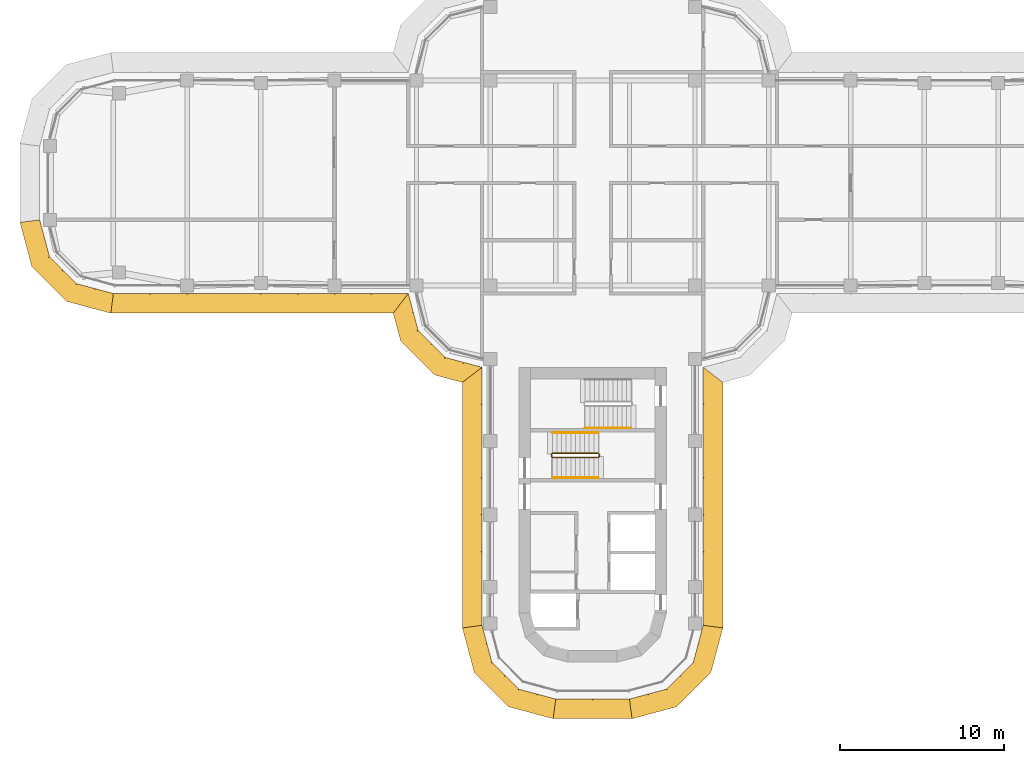
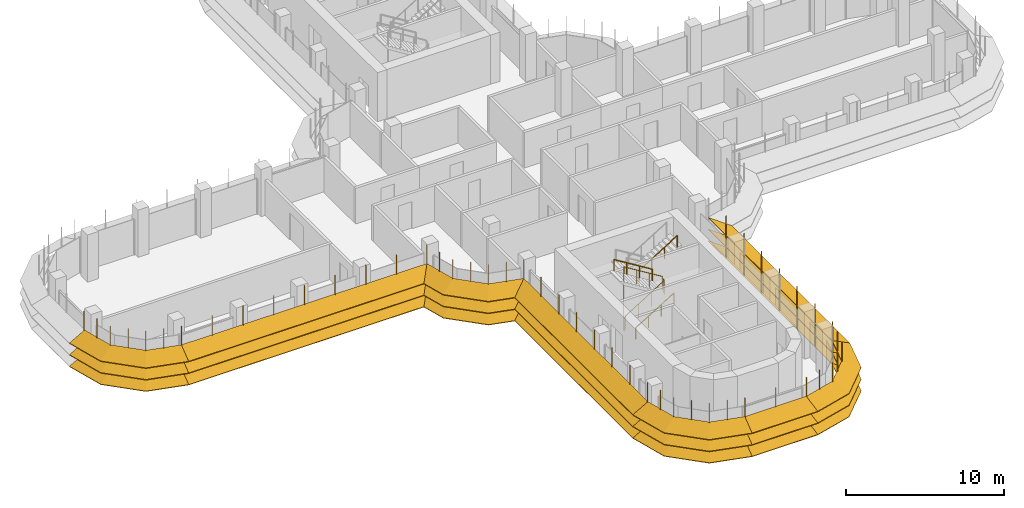
# One storey, part 16 of 19: 8 shading devices, 4 railings.
"""IFC4 building model written with IfcOpenShell, lengths in metres."""

from ifc_helpers import new_model, si_unit, direction, frame, origin, origin_2d, place, context, subcontext, project, spatial, polyline, circle, outline, extrude, faceted_brep, source, transform, mapped, material, type_object, element, save


model = new_model("IFC4")

# Units and contexts
model_context = context("Model", 3, precision=1e-05, world=origin(), true_north=direction((0.0, 1.0)))
body_context = subcontext(model_context, "Body", "Model", "MODEL_VIEW")
ifc_project = project(units=[si_unit("LENGTHUNIT", "METRE"), si_unit("AREAUNIT", "SQUARE_METRE"), si_unit("VOLUMEUNIT", "CUBIC_METRE"), si_unit("PLANEANGLEUNIT", "RADIAN"), si_unit("MASSUNIT", "GRAM", prefix="KILO")], contexts=[model_context])

# Site, building, storey
site_placement = place(None, origin())
site = spatial("IfcSite", under=ifc_project, at=site_placement, CompositionType="ELEMENT")
building_placement = place(site_placement, origin())
building = spatial("IfcBuilding", under=site, at=building_placement, Name="Zarbagh Exchange Tower", CompositionType="ELEMENT")
storey_placement = place(building_placement, frame((0.0, 0.0, 179.0)))
storey = spatial("IfcBuildingStorey", under=building, at=storey_placement, Name="L43", CompositionType="ELEMENT", Elevation=179.0)

# Railings
ifc_material_1 = material(Name="Stainless steel", Category="steel")
railing_type_1 = type_object("IfcRailingType", Name="Stair guard 1100 mm", PredefinedType="GUARDRAIL", material=ifc_material_1)
railing_1_placement = place(storey_placement, frame((0.35009765625, -16.5, 2.07275390625)))
element("IfcRailing", 1, at=railing_1_placement, inside=storey, type_object=railing_type_1, Name="ST3 stair guard 1", PredefinedType="GUARDRAIL", context=body_context, shape_type="SweptSolid", body=[
    extrude(circle(Radius=0.02392578125, at=origin_2d()), frame((0.0, 0.0, 1.076171875), z_axis=(-0.851089632645, 0.0, 0.525020415988), x_axis=(0.0, -1.0, 0.0)), (0.0, 0.0, 1.0), 3.2900390625),
    extrude(circle(Radius=0.02392578125, at=origin_2d()), frame((-2.800048828125, 0.0, 2.80322265625), z_axis=(-0.013168290981, -0.013168290981, -0.999826581076), x_axis=(0.707106781187, -0.707106781187, 0.0)), (0.0, 0.0, 1.0), 3.80078125),
    extrude(circle(Radius=0.02392578125, at=origin_2d()), frame((-2.85009765625, -0.050048828125, -0.99658203125), z_axis=(0.0, -1.0, 0.0), x_axis=(1.0, 0.0, 0.0)), (0.0, 0.0, 1.0), 0.14990234375),
    extrude(circle(Radius=0.02392578125, at=origin_2d()), frame((-2.85009765625, -0.199951171875, -0.99658203125), z_axis=(0.268277960024, -0.268277960024, 0.925231793839), x_axis=(0.707106781187, 0.707106781187, 0.0)), (0.0, 0.0, 1.0), 0.1865234375),
    extrude(circle(Radius=0.02392578125, at=origin_2d()), frame((-2.800048828125, -0.25, -0.82421875), z_axis=(0.851089632645, 0.0, 0.525020415988), x_axis=(0.0, 1.0, 0.0)), (0.0, 0.0, 1.0), 3.2900390625),
    extrude(circle(Radius=0.02392578125, at=origin_2d()), frame((0.0, -0.25, 0.9033203125), z_axis=(0.705375805398, 0.708833529934, 0.0), x_axis=(-0.708833529934, 0.705375805398, 0.0)), (0.0, 0.0, 1.0), 0.070556640625),
    extrude(circle(Radius=0.02392578125, at=origin_2d()), frame((0.0498046875, -0.199951171875, 0.9033203125), z_axis=(0.0, 1.0, 0.0), x_axis=(-1.0, 0.0, 0.0)), (0.0, 0.0, 1.0), 0.14990234375),
    extrude(circle(Radius=0.02099609375, at=origin_2d()), origin(), (0.0, 0.0, 1.0), 1.052001953125),
    extrude(circle(Radius=0.02099609375, at=origin_2d()), frame((-0.933349609375, 0.0, 0.57568359375)), (0.0, 0.0, 1.0), 1.052001953125),
    extrude(circle(Radius=0.02099609375, at=origin_2d()), frame((-1.86669921875, 0.0, 1.151611328125)), (0.0, 0.0, 1.0), 1.052001953125),
    extrude(circle(Radius=0.02099609375, at=origin_2d()), frame((-2.800048828125, 0.0, 1.727294921875)), (0.0, 0.0, 1.0), 1.052001953125),
    extrude(circle(Radius=0.02099609375, at=origin_2d()), frame((-2.8125, -0.012451171875, 0.77734375)), (0.0, 0.0, 1.0), 1.052001953125),
    extrude(circle(Radius=0.02099609375, at=origin_2d()), frame((-2.8251953125, -0.02490234375, -0.1728515625)), (0.0, 0.0, 1.0), 1.052001953125),
    extrude(circle(Radius=0.02099609375, at=origin_2d()), frame((-2.837646484375, -0.03759765625, -1.122802734375)), (0.0, 0.0, 1.0), 1.052001953125),
    extrude(circle(Radius=0.02099609375, at=origin_2d()), frame((-2.85009765625, -0.050048828125, -2.07275390625)), (0.0, 0.0, 1.0), 1.052001953125),
    extrude(circle(Radius=0.02099609375, at=origin_2d()), frame((-2.85009765625, -0.199951171875, -2.07275390625)), (0.0, 0.0, 1.0), 1.052001953125),
    extrude(circle(Radius=0.02099609375, at=origin_2d()), frame((-2.800048828125, -0.25, -1.900146484375)), (0.0, 0.0, 1.0), 1.052001953125),
    extrude(circle(Radius=0.02099609375, at=origin_2d()), frame((-1.86669921875, -0.25, -1.324462890625)), (0.0, 0.0, 1.0), 1.052001953125),
    extrude(circle(Radius=0.02099609375, at=origin_2d()), frame((-0.933349609375, -0.25, -0.74853515625)), (0.0, 0.0, 1.0), 1.052001953125),
    extrude(circle(Radius=0.02099609375, at=origin_2d()), frame((0.0, -0.25, -0.1728515625)), (0.0, 0.0, 1.0), 1.052001953125),
    extrude(circle(Radius=0.02099609375, at=origin_2d()), frame((0.0498046875, -0.199951171875, -0.1728515625)), (0.0, 0.0, 1.0), 1.052001953125),
    extrude(circle(Radius=0.02099609375, at=origin_2d()), frame((0.0498046875, -0.050048828125, -0.1728515625)), (0.0, 0.0, 1.0), 1.052001953125),
])
railing_type_2 = type_object("IfcRailingType", Name="Stair handrail 900 mm", PredefinedType="HANDRAIL", material=ifc_material_1)
railing_2_placement = place(storey_placement, frame((-2.449951171875, -18.0, 0.172607421875)))
element("IfcRailing", 2, at=railing_2_placement, inside=storey, type_object=railing_type_2, Name="ST3 stair handrail 1", PredefinedType="HANDRAIL", context=body_context, shape_type="SweptSolid", body=[
    extrude(circle(Radius=0.02392578125, at=origin_2d()), frame((0.0, 0.0, 0.8759765625), z_axis=(0.851089632645, 0.0, 0.525020415988), x_axis=(0.0, 1.0, 0.0)), (0.0, 0.0, 1.0), 3.2900390625),
    extrude(circle(Radius=0.02099609375, at=origin_2d()), origin(), (0.0, 0.0, 1.0), 0.851806640625),
    extrude(circle(Radius=0.02099609375, at=origin_2d()), frame((0.933349609375, 0.0, 0.57568359375)), (0.0, 0.0, 1.0), 0.851806640625),
    extrude(circle(Radius=0.02099609375, at=origin_2d()), frame((1.86669921875, 0.0, 1.151611328125)), (0.0, 0.0, 1.0), 0.851806640625),
    extrude(circle(Radius=0.02099609375, at=origin_2d()), frame((2.800048828125, 0.0, 1.727294921875)), (0.0, 0.0, 1.0), 0.851806640625),
])
railing_3_placement = place(storey_placement, frame((0.35009765625, -15.25, 2.07275390625)))
element("IfcRailing", 3, at=railing_3_placement, inside=storey, type_object=railing_type_2, Name="ST3 stair handrail 2", PredefinedType="HANDRAIL", context=body_context, shape_type="SweptSolid", body=[
    extrude(circle(Radius=0.02392578125, at=origin_2d()), frame((0.0, 0.0, 0.8759765625), z_axis=(-0.851089632645, 0.0, 0.525020415988), x_axis=(0.0, -1.0, 0.0)), (0.0, 0.0, 1.0), 3.2900390625),
    extrude(circle(Radius=0.02099609375, at=origin_2d()), origin(), (0.0, 0.0, 1.0), 0.851806640625),
    extrude(circle(Radius=0.02099609375, at=origin_2d()), frame((-0.933349609375, 0.0, 0.57568359375)), (0.0, 0.0, 1.0), 0.851806640625),
    extrude(circle(Radius=0.02099609375, at=origin_2d()), frame((-1.86669921875, 0.0, 1.151611328125)), (0.0, 0.0, 1.0), 0.851806640625),
    extrude(circle(Radius=0.02099609375, at=origin_2d()), frame((-2.800048828125, 0.0, 1.727294921875)), (0.0, 0.0, 1.0), 0.851806640625),
])
railing_4_placement = place(storey_placement, frame((-0.449951171875, -14.949951171875, 2.07275390625)))
element("IfcRailing", 4, at=railing_4_placement, inside=storey, type_object=railing_type_2, Name="ST4 stair handrail 2", PredefinedType="HANDRAIL", context=body_context, shape_type="SweptSolid", body=[
    extrude(circle(Radius=0.02392578125, at=origin_2d()), frame((0.0, 0.0, 0.8759765625), z_axis=(0.851089632645, 0.0, 0.525020415988), x_axis=(0.0, 1.0, 0.0)), (0.0, 0.0, 1.0), 3.2900390625),
    extrude(circle(Radius=0.02099609375, at=origin_2d()), origin(), (0.0, 0.0, 1.0), 0.851806640625),
    extrude(circle(Radius=0.02099609375, at=origin_2d()), frame((0.933349609375, 0.0, 0.57568359375)), (0.0, 0.0, 1.0), 0.851806640625),
    extrude(circle(Radius=0.02099609375, at=origin_2d()), frame((1.86669921875, 0.0, 1.151611328125)), (0.0, 0.0, 1.0), 0.851806640625),
    extrude(circle(Radius=0.02099609375, at=origin_2d()), frame((2.800048828125, 0.0, 1.727294921875)), (0.0, 0.0, 1.0), 0.851806640625),
])

# Shading devices
ifc_material_2 = material(Name="Anodised aluminium blades and brackets", Category="aluminium")
shading_device_type = type_object("IfcShadingDeviceType", Name="SUNSHADE louvre band, 22.5 degree blades", PredefinedType="JALOUSIE", material=ifc_material_2)
shared_shape_1 = source(origin(), body_context, "Body", "Brep", [
    faceted_brep([(0.0, 0.0, 0.0), (0.0, 0.0, -0.043212890625), (-0.157958984375, -1.199951171875, -0.540283203125), (-0.157958984375, -1.199951171875, -0.4970703125), (2.65087890625, -1.199951171875, -0.4970703125), (2.65087890625, -1.199951171875, -0.540283203125), (2.329345703125, 0.0, -0.043212890625), (2.329345703125, 0.0, 0.0)], [[[0, 1, 2, 3]], [[4, 5, 6, 7]], [[0, 7, 6, 1]], [[1, 6, 5, 2]], [[2, 5, 4, 3]], [[3, 4, 7, 0]]]),
])
shared_shape_2 = source(origin(), body_context, "Body", "Brep", [
    faceted_brep([(0.0, 0.0, 0.0), (0.0, 0.0, -0.043212890625), (-0.321533203125, -1.199951171875, -0.540283203125), (-0.321533203125, -1.199951171875, -0.4970703125), (2.65087890625, -1.199951171875, -0.4970703125), (2.65087890625, -1.199951171875, -0.540283203125), (2.329345703125, 0.0, -0.043212890625), (2.329345703125, 0.0, 0.0)], [[[0, 1, 2, 3]], [[4, 5, 6, 7]], [[0, 7, 6, 1]], [[1, 6, 5, 2]], [[2, 5, 4, 3]], [[3, 4, 7, 0]]]),
])
shared_shape_3 = source(origin(), body_context, "Body", "Brep", [
    faceted_brep([(0.0, 0.0, 0.0), (0.0, 0.0, -0.043212890625), (-0.321533203125, -1.199951171875, -0.540283203125), (-0.321533203125, -1.199951171875, -0.4970703125), (2.4873046875, -1.199951171875, -0.4970703125), (2.4873046875, -1.199951171875, -0.540283203125), (2.329345703125, 0.0, -0.043212890625), (2.329345703125, 0.0, 0.0)], [[[0, 1, 2, 3]], [[4, 5, 6, 7]], [[0, 7, 6, 1]], [[1, 6, 5, 2]], [[2, 5, 4, 3]], [[3, 4, 7, 0]]]),
])
shared_shape_4 = source(origin(), body_context, "Body", "SweptSolid", [
    extrude(outline(polyline([(0.0, -0.012451171875), (0.06005859375, -0.012451171875), (0.06005859375, 0.012451171875), (0.0, 0.012451171875), (0.0, -0.012451171875)])), origin(), (0.0, 0.0, 1.0), 3.353271484375),
])
placement = place(storey_placement, origin())
element("IfcShadingDevice", 5, at=placement, inside=storey, type_object=shading_device_type, Name="SS35 sunshade band", PredefinedType="JALOUSIE", context=body_context, shape_type="MappedRepresentation", body=[
    mapped(shared_shape_1, transform((2.25, -31.5, 2.300048828125), x_axis=(0.965924289636, 0.258824779902, 0.0), y_axis=(-0.258824779902, 0.965924289636, 0.0), z_axis=(0.0, 0.0, 1.0))),
    mapped(shared_shape_1, transform((2.25, -31.5, 1.39990234375), x_axis=(0.965924289636, 0.258824779902, 0.0), y_axis=(-0.258824779902, 0.965924289636, 0.0), z_axis=(0.0, 0.0, 1.0))),
    mapped(shared_shape_1, transform((2.25, -31.5, 0.5), x_axis=(0.965924289636, 0.258824779902, 0.0), y_axis=(-0.258824779902, 0.965924289636, 0.0), z_axis=(0.0, 0.0, 1.0))),
    mapped(shared_shape_2, transform((4.5, -30.897216796875, 2.300048828125), x_axis=(0.707106781187, 0.707106781187, 0.0), y_axis=(-0.707106781187, 0.707106781187, 0.0), z_axis=(0.0, 0.0, 1.0))),
    mapped(shared_shape_2, transform((4.5, -30.897216796875, 1.39990234375), x_axis=(0.707106781187, 0.707106781187, 0.0), y_axis=(-0.707106781187, 0.707106781187, 0.0), z_axis=(0.0, 0.0, 1.0))),
    mapped(shared_shape_2, transform((4.5, -30.897216796875, 0.5), x_axis=(0.707106781187, 0.707106781187, 0.0), y_axis=(-0.707106781187, 0.707106781187, 0.0), z_axis=(0.0, 0.0, 1.0))),
    mapped(shared_shape_3, transform((6.147216796875, -29.25, 2.300048828125), x_axis=(0.258824779902, 0.965924289636, 0.0), y_axis=(-0.965924289636, 0.258824779902, 0.0), z_axis=(0.0, 0.0, 1.0))),
    mapped(shared_shape_3, transform((6.147216796875, -29.25, 1.39990234375), x_axis=(0.258824779902, 0.965924289636, 0.0), y_axis=(-0.965924289636, 0.258824779902, 0.0), z_axis=(0.0, 0.0, 1.0))),
    mapped(shared_shape_3, transform((6.147216796875, -29.25, 0.5), x_axis=(0.258824779902, 0.965924289636, 0.0), y_axis=(-0.965924289636, 0.258824779902, 0.0), z_axis=(0.0, 0.0, 1.0))),
    mapped(shared_shape_4, transform((2.25, -31.5, 0.4267578125), x_axis=(0.130529263012, -0.991444457092, 0.0), y_axis=(0.991444457092, 0.130529263012, 0.0), z_axis=(0.0, 0.0, 1.0))),
    mapped(shared_shape_4, transform((3.375, -31.198486328125, 0.4267578125), x_axis=(0.258825058029, -0.96592421511, 0.0), y_axis=(0.96592421511, 0.258825058029, 0.0), z_axis=(0.0, 0.0, 1.0))),
    mapped(shared_shape_4, transform((4.5, -30.897216796875, 0.4267578125), x_axis=(0.50000275701, -0.866023812018, 0.0), y_axis=(0.866023812018, 0.50000275701, 0.0), z_axis=(0.0, 0.0, 1.0))),
    mapped(shared_shape_4, transform((5.323486328125, -30.073486328125, 0.4267578125), x_axis=(0.707106781187, -0.707106781187, 0.0), y_axis=(0.707106781187, 0.707106781187, 0.0), z_axis=(0.0, 0.0, 1.0))),
    mapped(shared_shape_4, transform((6.147216796875, -29.25, 0.4267578125), x_axis=(0.866023812018, -0.50000275701, 0.0), y_axis=(0.50000275701, 0.866023812018, 0.0), z_axis=(0.0, 0.0, 1.0))),
    mapped(shared_shape_4, transform((6.448486328125, -28.125, 0.4267578125), x_axis=(0.96592421511, -0.258825058029, 0.0), y_axis=(0.258825058029, 0.96592421511, 0.0), z_axis=(0.0, 0.0, 1.0))),
])
element("IfcShadingDevice", 6, at=placement, inside=storey, type_object=shading_device_type, Name="SS19 sunshade band", PredefinedType="JALOUSIE", context=body_context, shape_type="MappedRepresentation", body=[
    mapped(shared_shape_1, transform((-33.75, -2.25, 2.300048828125), x_axis=(0.258824779902, -0.965924289636, 0.0), y_axis=(0.965924289636, 0.258824779902, 0.0), z_axis=(0.0, 0.0, 1.0))),
    mapped(shared_shape_1, transform((-33.75, -2.25, 1.39990234375), x_axis=(0.258824779902, -0.965924289636, 0.0), y_axis=(0.965924289636, 0.258824779902, 0.0), z_axis=(0.0, 0.0, 1.0))),
    mapped(shared_shape_1, transform((-33.75, -2.25, 0.5), x_axis=(0.258824779902, -0.965924289636, 0.0), y_axis=(0.965924289636, 0.258824779902, 0.0), z_axis=(0.0, 0.0, 1.0))),
    mapped(shared_shape_2, transform((-33.147216796875, -4.5, 2.300048828125), x_axis=(0.707106781187, -0.707106781187, 0.0), y_axis=(0.707106781187, 0.707106781187, 0.0), z_axis=(0.0, 0.0, 1.0))),
    mapped(shared_shape_2, transform((-33.147216796875, -4.5, 1.39990234375), x_axis=(0.707106781187, -0.707106781187, 0.0), y_axis=(0.707106781187, 0.707106781187, 0.0), z_axis=(0.0, 0.0, 1.0))),
    mapped(shared_shape_2, transform((-33.147216796875, -4.5, 0.5), x_axis=(0.707106781187, -0.707106781187, 0.0), y_axis=(0.707106781187, 0.707106781187, 0.0), z_axis=(0.0, 0.0, 1.0))),
    mapped(shared_shape_3, transform((-31.5, -6.147216796875, 2.300048828125), x_axis=(0.965924289636, -0.258824779902, 0.0), y_axis=(0.258824779902, 0.965924289636, 0.0), z_axis=(0.0, 0.0, 1.0))),
    mapped(shared_shape_3, transform((-31.5, -6.147216796875, 1.39990234375), x_axis=(0.965924289636, -0.258824779902, 0.0), y_axis=(0.258824779902, 0.965924289636, 0.0), z_axis=(0.0, 0.0, 1.0))),
    mapped(shared_shape_3, transform((-31.5, -6.147216796875, 0.5), x_axis=(0.965924289636, -0.258824779902, 0.0), y_axis=(0.258824779902, 0.965924289636, 0.0), z_axis=(0.0, 0.0, 1.0))),
    mapped(shared_shape_4, transform((-33.75, -2.25, 0.4267578125), x_axis=(-0.991444457092, -0.130529263012, 0.0), y_axis=(0.130529263012, -0.991444457092, 0.0), z_axis=(0.0, 0.0, 1.0))),
    mapped(shared_shape_4, transform((-33.448486328125, -3.375, 0.4267578125), x_axis=(-0.96592421511, -0.258825058029, 0.0), y_axis=(0.258825058029, -0.96592421511, 0.0), z_axis=(0.0, 0.0, 1.0))),
    mapped(shared_shape_4, transform((-33.147216796875, -4.5, 0.4267578125), x_axis=(-0.866023812018, -0.50000275701, 0.0), y_axis=(0.50000275701, -0.866023812018, 0.0), z_axis=(0.0, 0.0, 1.0))),
    mapped(shared_shape_4, transform((-32.323486328125, -5.323486328125, 0.4267578125), x_axis=(-0.707106781187, -0.707106781187, 0.0), y_axis=(0.707106781187, -0.707106781187, 0.0), z_axis=(0.0, 0.0, 1.0))),
    mapped(shared_shape_4, transform((-31.5, -6.147216796875, 0.4267578125), x_axis=(-0.50000275701, -0.866023812018, 0.0), y_axis=(0.866023812018, -0.50000275701, 0.0), z_axis=(0.0, 0.0, 1.0))),
    mapped(shared_shape_4, transform((-30.375, -6.448486328125, 0.4267578125), x_axis=(-0.258825058029, -0.96592421511, 0.0), y_axis=(0.96592421511, -0.258825058029, 0.0), z_axis=(0.0, 0.0, 1.0))),
])
element("IfcShadingDevice", 7, at=placement, inside=storey, type_object=shading_device_type, Name="SS38 sunshade band", PredefinedType="JALOUSIE", context=body_context, shape_type="MappedRepresentation", body=[
    mapped(shared_shape_1, transform((-6.75, -27.0, 2.300048828125), x_axis=(0.258824779902, -0.965924289636, 0.0), y_axis=(0.965924289636, 0.258824779902, 0.0), z_axis=(0.0, 0.0, 1.0))),
    mapped(shared_shape_1, transform((-6.75, -27.0, 1.39990234375), x_axis=(0.258824779902, -0.965924289636, 0.0), y_axis=(0.965924289636, 0.258824779902, 0.0), z_axis=(0.0, 0.0, 1.0))),
    mapped(shared_shape_1, transform((-6.75, -27.0, 0.5), x_axis=(0.258824779902, -0.965924289636, 0.0), y_axis=(0.965924289636, 0.258824779902, 0.0), z_axis=(0.0, 0.0, 1.0))),
    mapped(shared_shape_2, transform((-6.147216796875, -29.25, 2.300048828125), x_axis=(0.707106781187, -0.707106781187, 0.0), y_axis=(0.707106781187, 0.707106781187, 0.0), z_axis=(0.0, 0.0, 1.0))),
    mapped(shared_shape_2, transform((-6.147216796875, -29.25, 1.39990234375), x_axis=(0.707106781187, -0.707106781187, 0.0), y_axis=(0.707106781187, 0.707106781187, 0.0), z_axis=(0.0, 0.0, 1.0))),
    mapped(shared_shape_2, transform((-6.147216796875, -29.25, 0.5), x_axis=(0.707106781187, -0.707106781187, 0.0), y_axis=(0.707106781187, 0.707106781187, 0.0), z_axis=(0.0, 0.0, 1.0))),
    mapped(shared_shape_3, transform((-4.5, -30.897216796875, 2.300048828125), x_axis=(0.965924289636, -0.258824779902, 0.0), y_axis=(0.258824779902, 0.965924289636, 0.0), z_axis=(0.0, 0.0, 1.0))),
    mapped(shared_shape_3, transform((-4.5, -30.897216796875, 1.39990234375), x_axis=(0.965924289636, -0.258824779902, 0.0), y_axis=(0.258824779902, 0.965924289636, 0.0), z_axis=(0.0, 0.0, 1.0))),
    mapped(shared_shape_3, transform((-4.5, -30.897216796875, 0.5), x_axis=(0.965924289636, -0.258824779902, 0.0), y_axis=(0.258824779902, 0.965924289636, 0.0), z_axis=(0.0, 0.0, 1.0))),
    mapped(shared_shape_4, transform((-6.75, -27.0, 0.4267578125), x_axis=(-0.991444457092, -0.130529263012, 0.0), y_axis=(0.130529263012, -0.991444457092, 0.0), z_axis=(0.0, 0.0, 1.0))),
    mapped(shared_shape_4, transform((-6.448486328125, -28.125, 0.4267578125), x_axis=(-0.96592421511, -0.258825058029, 0.0), y_axis=(0.258825058029, -0.96592421511, 0.0), z_axis=(0.0, 0.0, 1.0))),
    mapped(shared_shape_4, transform((-6.147216796875, -29.25, 0.4267578125), x_axis=(-0.866023812018, -0.50000275701, 0.0), y_axis=(0.50000275701, -0.866023812018, 0.0), z_axis=(0.0, 0.0, 1.0))),
    mapped(shared_shape_4, transform((-5.323486328125, -30.073486328125, 0.4267578125), x_axis=(-0.707106781187, -0.707106781187, 0.0), y_axis=(0.707106781187, -0.707106781187, 0.0), z_axis=(0.0, 0.0, 1.0))),
    mapped(shared_shape_4, transform((-4.5, -30.897216796875, 0.4267578125), x_axis=(-0.50000275701, -0.866023812018, 0.0), y_axis=(0.866023812018, -0.50000275701, 0.0), z_axis=(0.0, 0.0, 1.0))),
    mapped(shared_shape_4, transform((-3.375, -31.198486328125, 0.4267578125), x_axis=(-0.258825058029, -0.96592421511, 0.0), y_axis=(0.96592421511, -0.258825058029, 0.0), z_axis=(0.0, 0.0, 1.0))),
])
shared_shape_5 = source(origin(), body_context, "Body", "Brep", [
    faceted_brep([(0.0, 0.0, 0.0), (0.0, 0.0, -0.043212890625), (0.9208984375, -1.199951171875, -0.540283203125), (0.9208984375, -1.199951171875, -0.4970703125), (2.65087890625, -1.199951171875, -0.4970703125), (2.65087890625, -1.199951171875, -0.540283203125), (2.329345703125, 0.0, -0.043212890625), (2.329345703125, 0.0, 0.0)], [[[0, 1, 2, 3]], [[4, 5, 6, 7]], [[0, 7, 6, 1]], [[1, 6, 5, 2]], [[2, 5, 4, 3]], [[3, 4, 7, 0]]]),
])
shared_shape_6 = source(origin(), body_context, "Body", "Brep", [
    faceted_brep([(0.0, 0.0, 0.0), (0.0, 0.0, -0.043212890625), (-0.321533203125, -1.199951171875, -0.540283203125), (-0.321533203125, -1.199951171875, -0.4970703125), (1.40869140625, -1.199951171875, -0.4970703125), (1.40869140625, -1.199951171875, -0.540283203125), (2.329345703125, 0.0, -0.043212890625), (2.329345703125, 0.0, 0.0)], [[[0, 1, 2, 3]], [[4, 5, 6, 7]], [[0, 7, 6, 1]], [[1, 6, 5, 2]], [[2, 5, 4, 3]], [[3, 4, 7, 0]]]),
])
element("IfcShadingDevice", 8, at=placement, inside=storey, type_object=shading_device_type, Name="SS21 sunshade band", PredefinedType="JALOUSIE", context=body_context, shape_type="MappedRepresentation", body=[
    mapped(shared_shape_5, transform((-11.25, -6.75, 2.300048828125), x_axis=(0.258824779902, -0.965924289636, 0.0), y_axis=(0.965924289636, 0.258824779902, 0.0), z_axis=(0.0, 0.0, 1.0))),
    mapped(shared_shape_5, transform((-11.25, -6.75, 1.39990234375), x_axis=(0.258824779902, -0.965924289636, 0.0), y_axis=(0.965924289636, 0.258824779902, 0.0), z_axis=(0.0, 0.0, 1.0))),
    mapped(shared_shape_5, transform((-11.25, -6.75, 0.5), x_axis=(0.258824779902, -0.965924289636, 0.0), y_axis=(0.965924289636, 0.258824779902, 0.0), z_axis=(0.0, 0.0, 1.0))),
    mapped(shared_shape_2, transform((-10.647216796875, -9.0, 2.300048828125), x_axis=(0.707106781187, -0.707106781187, 0.0), y_axis=(0.707106781187, 0.707106781187, 0.0), z_axis=(0.0, 0.0, 1.0))),
    mapped(shared_shape_2, transform((-10.647216796875, -9.0, 1.39990234375), x_axis=(0.707106781187, -0.707106781187, 0.0), y_axis=(0.707106781187, 0.707106781187, 0.0), z_axis=(0.0, 0.0, 1.0))),
    mapped(shared_shape_2, transform((-10.647216796875, -9.0, 0.5), x_axis=(0.707106781187, -0.707106781187, 0.0), y_axis=(0.707106781187, 0.707106781187, 0.0), z_axis=(0.0, 0.0, 1.0))),
    mapped(shared_shape_6, transform((-9.0, -10.647216796875, 2.300048828125), x_axis=(0.965924289636, -0.258824779902, 0.0), y_axis=(0.258824779902, 0.965924289636, 0.0), z_axis=(0.0, 0.0, 1.0))),
    mapped(shared_shape_6, transform((-9.0, -10.647216796875, 1.39990234375), x_axis=(0.965924289636, -0.258824779902, 0.0), y_axis=(0.258824779902, 0.965924289636, 0.0), z_axis=(0.0, 0.0, 1.0))),
    mapped(shared_shape_6, transform((-9.0, -10.647216796875, 0.5), x_axis=(0.965924289636, -0.258824779902, 0.0), y_axis=(0.258824779902, 0.965924289636, 0.0), z_axis=(0.0, 0.0, 1.0))),
    mapped(shared_shape_4, transform((-11.25, -6.75, 0.4267578125), x_axis=(-0.608758892, -0.793355287, 0.0), y_axis=(0.793355287, -0.608758892, 0.0), z_axis=(0.0, 0.0, 1.0))),
    mapped(shared_shape_4, transform((-10.948486328125, -7.875, 0.4267578125), x_axis=(-0.96592421511, -0.258825058029, 0.0), y_axis=(0.258825058029, -0.96592421511, 0.0), z_axis=(0.0, 0.0, 1.0))),
    mapped(shared_shape_4, transform((-10.647216796875, -9.0, 0.4267578125), x_axis=(-0.866023812018, -0.50000275701, 0.0), y_axis=(0.50000275701, -0.866023812018, 0.0), z_axis=(0.0, 0.0, 1.0))),
    mapped(shared_shape_4, transform((-9.823486328125, -9.823486328125, 0.4267578125), x_axis=(-0.707106781187, -0.707106781187, 0.0), y_axis=(0.707106781187, -0.707106781187, 0.0), z_axis=(0.0, 0.0, 1.0))),
    mapped(shared_shape_4, transform((-9.0, -10.647216796875, 0.4267578125), x_axis=(-0.50000275701, -0.866023812018, 0.0), y_axis=(0.866023812018, -0.50000275701, 0.0), z_axis=(0.0, 0.0, 1.0))),
    mapped(shared_shape_4, transform((-7.875, -10.948486328125, 0.4267578125), x_axis=(-0.258825058029, -0.96592421511, 0.0), y_axis=(0.96592421511, -0.258825058029, 0.0), z_axis=(0.0, 0.0, 1.0))),
])
shared_shape_7 = source(origin(), body_context, "Body", "Brep", [
    faceted_brep([(0.0, 0.0, 0.0), (0.0, 0.0, -0.043212890625), (-0.157958984375, -1.199951171875, -0.540283203125), (-0.157958984375, -1.199951171875, -0.4970703125), (14.8291015625, -1.199951171875, -0.4970703125), (14.8291015625, -1.199951171875, -0.540283203125), (15.75, 0.0, -0.043212890625), (15.75, 0.0, 0.0)], [[[0, 1, 2, 3]], [[4, 5, 6, 7]], [[0, 7, 6, 1]], [[1, 6, 5, 2]], [[2, 5, 4, 3]], [[3, 4, 7, 0]]]),
])
element("IfcShadingDevice", 9, at=placement, inside=storey, type_object=shading_device_type, Name="SS36 sunshade band", PredefinedType="JALOUSIE", context=body_context, shape_type="MappedRepresentation", body=[
    mapped(shared_shape_7, transform((6.75, -27.0, 2.300048828125), x_axis=(0.0, 1.0, 0.0), y_axis=(-1.0, 0.0, 0.0), z_axis=(0.0, 0.0, 1.0))),
    mapped(shared_shape_7, transform((6.75, -27.0, 1.39990234375), x_axis=(0.0, 1.0, 0.0), y_axis=(-1.0, 0.0, 0.0), z_axis=(0.0, 0.0, 1.0))),
    mapped(shared_shape_7, transform((6.75, -27.0, 0.5), x_axis=(0.0, 1.0, 0.0), y_axis=(-1.0, 0.0, 0.0), z_axis=(0.0, 0.0, 1.0))),
    mapped(shared_shape_4, transform((6.75, -27.0, 0.4267578125), x_axis=(0.991444457092, -0.130529263012, 0.0), y_axis=(0.130529263012, 0.991444457092, 0.0), z_axis=(0.0, 0.0, 1.0))),
    mapped(shared_shape_4, transform((6.75, -24.75, 0.4267578125), x_axis=(1.0, 0.0, 0.0), y_axis=(0.0, 1.0, 0.0), z_axis=(0.0, 0.0, 1.0))),
    mapped(shared_shape_4, transform((6.75, -22.5, 0.4267578125), x_axis=(1.0, 0.0, 0.0), y_axis=(0.0, 1.0, 0.0), z_axis=(0.0, 0.0, 1.0))),
    mapped(shared_shape_4, transform((6.75, -20.25, 0.4267578125), x_axis=(1.0, 0.0, 0.0), y_axis=(0.0, 1.0, 0.0), z_axis=(0.0, 0.0, 1.0))),
    mapped(shared_shape_4, transform((6.75, -18.0, 0.4267578125), x_axis=(1.0, 0.0, 0.0), y_axis=(0.0, 1.0, 0.0), z_axis=(0.0, 0.0, 1.0))),
    mapped(shared_shape_4, transform((6.75, -15.75, 0.4267578125), x_axis=(1.0, 0.0, 0.0), y_axis=(0.0, 1.0, 0.0), z_axis=(0.0, 0.0, 1.0))),
    mapped(shared_shape_4, transform((6.75, -13.5, 0.4267578125), x_axis=(1.0, 0.0, 0.0), y_axis=(0.0, 1.0, 0.0), z_axis=(0.0, 0.0, 1.0))),
])
shared_shape_8 = source(origin(), body_context, "Body", "Brep", [
    faceted_brep([(0.0, 0.0, 0.0), (0.0, 0.0, -0.043212890625), (-0.157958984375, -1.199951171875, -0.540283203125), (-0.157958984375, -1.199951171875, -0.4970703125), (17.0791015625, -1.199951171875, -0.4970703125), (17.0791015625, -1.199951171875, -0.540283203125), (18.0, 0.0, -0.043212890625), (18.0, 0.0, 0.0)], [[[0, 1, 2, 3]], [[4, 5, 6, 7]], [[0, 7, 6, 1]], [[1, 6, 5, 2]], [[2, 5, 4, 3]], [[3, 4, 7, 0]]]),
])
element("IfcShadingDevice", 10, at=placement, inside=storey, type_object=shading_device_type, Name="SS20 sunshade band", PredefinedType="JALOUSIE", context=body_context, shape_type="MappedRepresentation", body=[
    mapped(shared_shape_8, transform((-29.25, -6.75, 2.300048828125), x_axis=(1.0, 0.0, 0.0), y_axis=(0.0, 1.0, 0.0), z_axis=(0.0, 0.0, 1.0))),
    mapped(shared_shape_8, transform((-29.25, -6.75, 1.39990234375), x_axis=(1.0, 0.0, 0.0), y_axis=(0.0, 1.0, 0.0), z_axis=(0.0, 0.0, 1.0))),
    mapped(shared_shape_8, transform((-29.25, -6.75, 0.5), x_axis=(1.0, 0.0, 0.0), y_axis=(0.0, 1.0, 0.0), z_axis=(0.0, 0.0, 1.0))),
    mapped(shared_shape_4, transform((-29.25, -6.75, 0.4267578125), x_axis=(-0.130529263012, -0.991444457092, 0.0), y_axis=(0.991444457092, -0.130529263012, 0.0), z_axis=(0.0, 0.0, 1.0))),
    mapped(shared_shape_4, transform((-27.0, -6.75, 0.4267578125), x_axis=(0.0, -1.0, 0.0), y_axis=(1.0, 0.0, 0.0), z_axis=(0.0, 0.0, 1.0))),
    mapped(shared_shape_4, transform((-24.75, -6.75, 0.4267578125), x_axis=(0.0, -1.0, 0.0), y_axis=(1.0, 0.0, 0.0), z_axis=(0.0, 0.0, 1.0))),
    mapped(shared_shape_4, transform((-22.5, -6.75, 0.4267578125), x_axis=(0.0, -1.0, 0.0), y_axis=(1.0, 0.0, 0.0), z_axis=(0.0, 0.0, 1.0))),
    mapped(shared_shape_4, transform((-20.25, -6.75, 0.4267578125), x_axis=(0.0, -1.0, 0.0), y_axis=(1.0, 0.0, 0.0), z_axis=(0.0, 0.0, 1.0))),
    mapped(shared_shape_4, transform((-18.0, -6.75, 0.4267578125), x_axis=(0.0, -1.0, 0.0), y_axis=(1.0, 0.0, 0.0), z_axis=(0.0, 0.0, 1.0))),
    mapped(shared_shape_4, transform((-15.75, -6.75, 0.4267578125), x_axis=(0.0, -1.0, 0.0), y_axis=(1.0, 0.0, 0.0), z_axis=(0.0, 0.0, 1.0))),
    mapped(shared_shape_4, transform((-13.5, -6.75, 0.4267578125), x_axis=(0.0, -1.0, 0.0), y_axis=(1.0, 0.0, 0.0), z_axis=(0.0, 0.0, 1.0))),
])
shared_shape_9 = source(origin(), body_context, "Body", "Brep", [
    faceted_brep([(0.0, 0.0, 0.0), (0.0, 0.0, -0.043212890625), (0.9208984375, -1.199951171875, -0.540283203125), (0.9208984375, -1.199951171875, -0.4970703125), (15.907958984375, -1.199951171875, -0.4970703125), (15.907958984375, -1.199951171875, -0.540283203125), (15.75, 0.0, -0.043212890625), (15.75, 0.0, 0.0)], [[[0, 1, 2, 3]], [[4, 5, 6, 7]], [[0, 7, 6, 1]], [[1, 6, 5, 2]], [[2, 5, 4, 3]], [[3, 4, 7, 0]]]),
])
element("IfcShadingDevice", 11, at=placement, inside=storey, type_object=shading_device_type, Name="SS37 sunshade band", PredefinedType="JALOUSIE", context=body_context, shape_type="MappedRepresentation", body=[
    mapped(shared_shape_9, transform((-6.75, -11.25, 2.300048828125), x_axis=(0.0, -1.0, 0.0), y_axis=(1.0, 0.0, 0.0), z_axis=(0.0, 0.0, 1.0))),
    mapped(shared_shape_9, transform((-6.75, -11.25, 1.39990234375), x_axis=(0.0, -1.0, 0.0), y_axis=(1.0, 0.0, 0.0), z_axis=(0.0, 0.0, 1.0))),
    mapped(shared_shape_9, transform((-6.75, -11.25, 0.5), x_axis=(0.0, -1.0, 0.0), y_axis=(1.0, 0.0, 0.0), z_axis=(0.0, 0.0, 1.0))),
    mapped(shared_shape_4, transform((-6.75, -11.25, 0.4267578125), x_axis=(-0.793355287, -0.608758892, 0.0), y_axis=(0.608758892, -0.793355287, 0.0), z_axis=(0.0, 0.0, 1.0))),
    mapped(shared_shape_4, transform((-6.75, -13.5, 0.4267578125), x_axis=(-1.0, 0.0, 0.0), y_axis=(0.0, -1.0, 0.0), z_axis=(0.0, 0.0, 1.0))),
    mapped(shared_shape_4, transform((-6.75, -15.75, 0.4267578125), x_axis=(-1.0, 0.0, 0.0), y_axis=(0.0, -1.0, 0.0), z_axis=(0.0, 0.0, 1.0))),
    mapped(shared_shape_4, transform((-6.75, -18.0, 0.4267578125), x_axis=(-1.0, 0.0, 0.0), y_axis=(0.0, -1.0, 0.0), z_axis=(0.0, 0.0, 1.0))),
    mapped(shared_shape_4, transform((-6.75, -20.25, 0.4267578125), x_axis=(-1.0, 0.0, 0.0), y_axis=(0.0, -1.0, 0.0), z_axis=(0.0, 0.0, 1.0))),
    mapped(shared_shape_4, transform((-6.75, -22.5, 0.4267578125), x_axis=(-1.0, 0.0, 0.0), y_axis=(0.0, -1.0, 0.0), z_axis=(0.0, 0.0, 1.0))),
    mapped(shared_shape_4, transform((-6.75, -24.75, 0.4267578125), x_axis=(-1.0, 0.0, 0.0), y_axis=(0.0, -1.0, 0.0), z_axis=(0.0, 0.0, 1.0))),
])
shared_shape_10 = source(origin(), body_context, "Body", "Brep", [
    faceted_brep([(0.0, 0.0, 0.0), (0.0, 0.0, -0.043212890625), (-0.157958984375, -1.199951171875, -0.540283203125), (-0.157958984375, -1.199951171875, -0.4970703125), (4.657958984375, -1.199951171875, -0.4970703125), (4.657958984375, -1.199951171875, -0.540283203125), (4.5, 0.0, -0.043212890625), (4.5, 0.0, 0.0)], [[[0, 1, 2, 3]], [[4, 5, 6, 7]], [[0, 7, 6, 1]], [[1, 6, 5, 2]], [[2, 5, 4, 3]], [[3, 4, 7, 0]]]),
])
element("IfcShadingDevice", 12, at=placement, inside=storey, type_object=shading_device_type, Name="SS39 sunshade band", PredefinedType="JALOUSIE", context=body_context, shape_type="MappedRepresentation", body=[
    mapped(shared_shape_10, transform((-2.25, -31.5, 2.300048828125), x_axis=(1.0, 0.0, 0.0), y_axis=(0.0, 1.0, 0.0), z_axis=(0.0, 0.0, 1.0))),
    mapped(shared_shape_10, transform((-2.25, -31.5, 1.39990234375), x_axis=(1.0, 0.0, 0.0), y_axis=(0.0, 1.0, 0.0), z_axis=(0.0, 0.0, 1.0))),
    mapped(shared_shape_10, transform((-2.25, -31.5, 0.5), x_axis=(1.0, 0.0, 0.0), y_axis=(0.0, 1.0, 0.0), z_axis=(0.0, 0.0, 1.0))),
    mapped(shared_shape_4, transform((-2.25, -31.5, 0.4267578125), x_axis=(-0.130529263012, -0.991444457092, 0.0), y_axis=(0.991444457092, -0.130529263012, 0.0), z_axis=(0.0, 0.0, 1.0))),
    mapped(shared_shape_4, transform((0.0, -31.5, 0.4267578125), x_axis=(0.0, -1.0, 0.0), y_axis=(1.0, 0.0, 0.0), z_axis=(0.0, 0.0, 1.0))),
])

save(model, "model.ifc")
